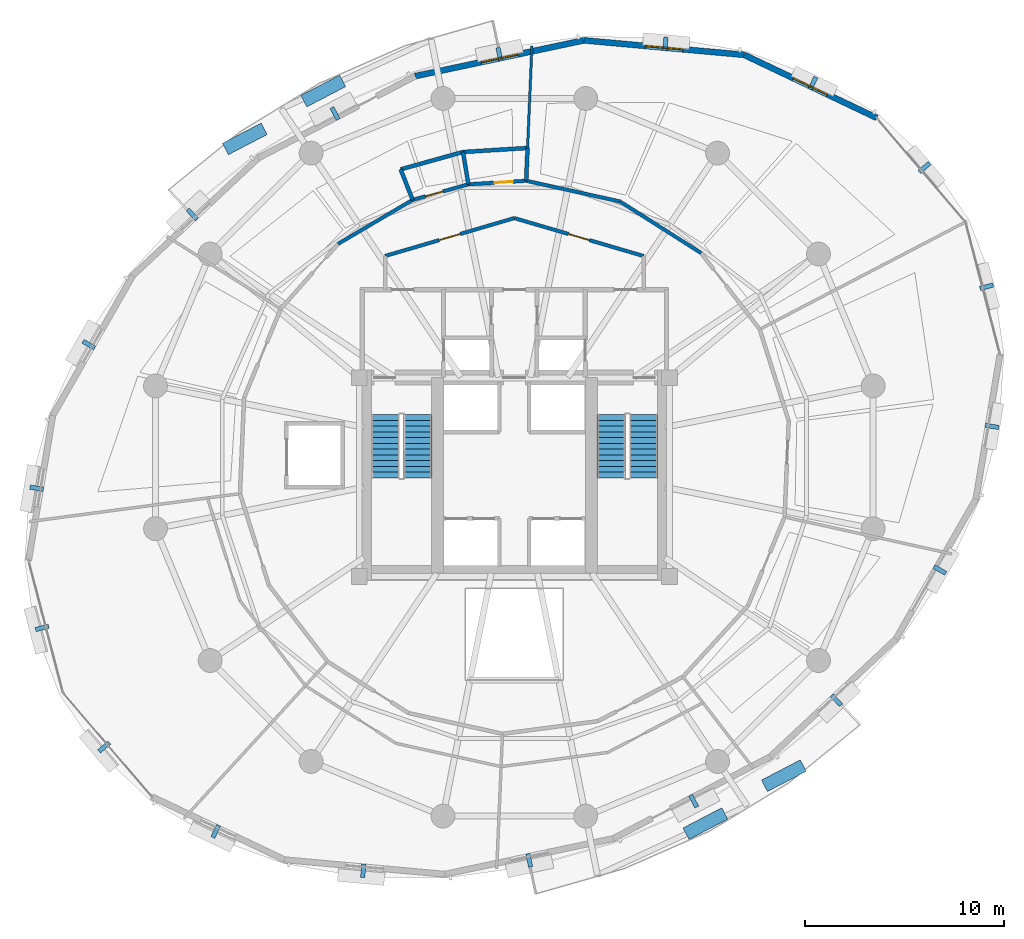
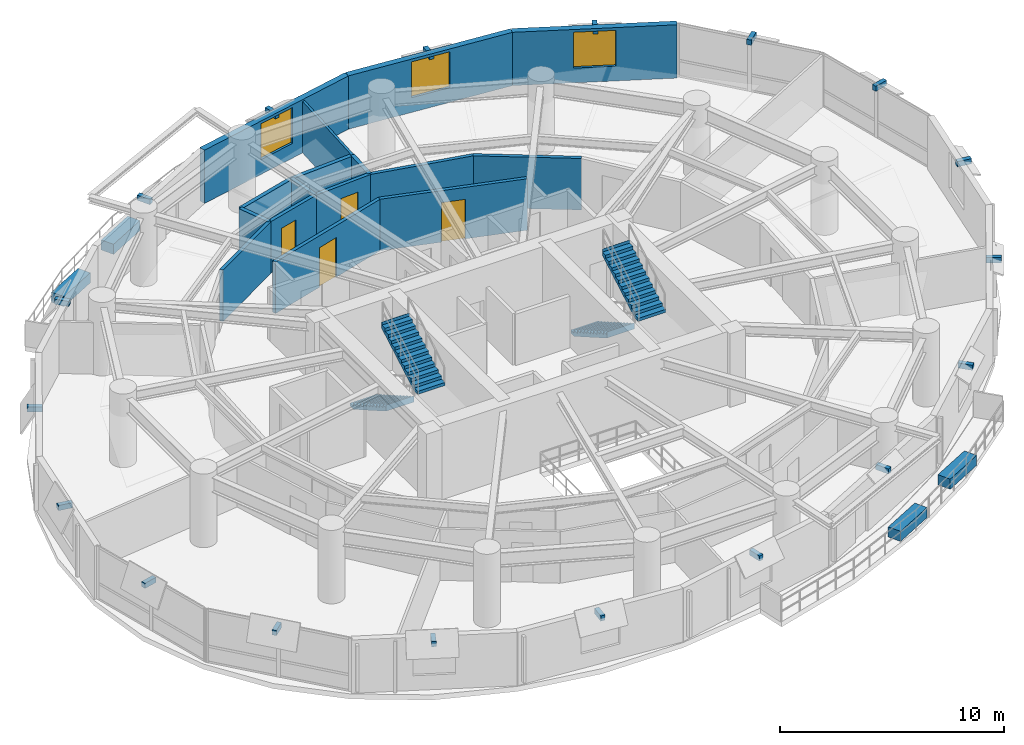
# One storey, part 12 of 14: 22 discrete accessories, 16 walls, 4 doors, 4 stair flights, 3 windows, 7 openings, 2 elements without a shape of their own.
"""IFC4 building model written with IfcOpenShell, lengths in metres."""

from ifc_helpers import new_model, si_unit, direction, frame, frame_2d, origin, origin_2d, place, context, subcontext, project, spatial, polyline, rectangle, outline, extrude, material, layer, layer_set, type_object, element, fill, aggregate, save


model = new_model("IFC4")

# Units and contexts
model_context = context("Model", 3, precision=1e-05, world=origin(), true_north=direction((0.0, 1.0)))
body_context = subcontext(model_context, "Body", "Model", "MODEL_VIEW")
ifc_project = project(units=[si_unit("LENGTHUNIT", "METRE"), si_unit("AREAUNIT", "SQUARE_METRE"), si_unit("VOLUMEUNIT", "CUBIC_METRE"), si_unit("PLANEANGLEUNIT", "RADIAN"), si_unit("MASSUNIT", "GRAM", prefix="KILO"), si_unit("THERMODYNAMICTEMPERATUREUNIT", "KELVIN"), si_unit("POWERUNIT", "WATT")], contexts=[model_context])

# Site, building, storey
site_placement = place(None, origin())
site = spatial("IfcSite", under=ifc_project, at=site_placement, CompositionType="ELEMENT")
building_placement = place(site_placement, origin())
building = spatial("IfcBuilding", under=site, at=building_placement, Name="Ocrelia Relay Tower", CompositionType="ELEMENT")
storey_placement = place(building_placement, frame((0.0, 0.0, 149.800048828125)))
storey = spatial("IfcBuildingStorey", under=building, at=storey_placement, Name="L35", CompositionType="ELEMENT", Elevation=149.800048828125)

# Wall, opening, door
ifc_material_1 = material(Name="Gypsum Fireboard Partition EI60", Category="gypsum")
ifc_layer_1 = layer(ifc_material_1, 0.179931640625, Name="Gypsum Fireboard Partition EI60")
ifc_layer_set_1 = layer_set([ifc_layer_1], Name="Gypsum Fireboard Partition EI60")
wall_type_1 = type_object("IfcWallType", Name="W-CORR-EI60-180", PredefinedType="PARTITIONING", material=ifc_layer_set_1)
wall_1_placement = place(storey_placement, frame((27.5, 36.122802734375, 0.0), z_axis=(0.0, 0.0, 1.0), x_axis=(0.959546654541, 0.281549671923, 0.0)))
wall_1 = element("IfcWall", 1, at=wall_1_placement, inside=storey, type_object=wall_type_1, Name="L35 North Smoke Lobby W Screen Wall", PredefinedType="PARTITIONING", context=body_context, shape_type="SweptSolid", body=[
    extrude(rectangle(XDim=6.77392578125, YDim=0.179931640625, at=frame_2d((3.386962890625, 0.0))), origin(), (0.0, 0.0, 1.0), 2.800048828125),
])
opening_1_placement = place(wall_1_placement, frame((2.8369140625, 0.0, 0.0)))
opening_1 = element("IfcOpeningElement", 2, at=opening_1_placement, cuts=wall_1, Name="Opening D-FD60", PredefinedType="OPENING", context=body_context, shape_type="SweptSolid", body=[
    extrude(rectangle(XDim=1.10009765625, YDim=2.14990234375, at=frame_2d((0.550048828125, 1.074951171875))), frame((0.0, 0.10009765625, 0.0), z_axis=(0.0, -1.0, 0.0), x_axis=(1.0, 0.0, 0.0)), (0.0, 0.0, 1.0), 0.199951171875),
])
ifc_material_2 = material(Name="Timber-core 60-min acoustic fire door", Category="wood")
door_type_1 = type_object("IfcDoorType", Name="DR-LOBBY-FD60-1100", OperationType="NOTDEFINED", PredefinedType="DOOR", material=ifc_material_2)
door_1_placement = place(opening_1_placement, origin())
door_1 = element("IfcDoor", 3, at=door_1_placement, inside=storey, type_object=door_type_1, Name="L35 North Smoke Lobby W Fire Door", OperationType="SINGLE_SWING_LEFT", OverallHeight=2.14990234375, OverallWidth=1.10009765625, PredefinedType="DOOR", context=body_context, shape_type="SweptSolid", body=[
    extrude(rectangle(XDim=1.10009765625, YDim=2.14990234375, at=frame_2d((0.550048828125, 1.074951171875))), frame((0.0, 0.02490234375, 0.0), z_axis=(0.0, -1.0, 0.0), x_axis=(1.0, 0.0, 0.0)), (0.0, 0.0, 1.0), 0.050048828125),
])
fill(opening_1, door_1)

wall_2_placement = place(storey_placement, frame((34.0, 38.030029296875, 0.0), z_axis=(0.0, 0.0, 1.0), x_axis=(0.959546654541, -0.281549671923, 0.0)))
wall_2 = element("IfcWall", 4, at=wall_2_placement, inside=storey, type_object=wall_type_1, Name="L35 North Smoke Lobby E Screen Wall", PredefinedType="PARTITIONING", context=body_context, shape_type="SweptSolid", body=[
    extrude(rectangle(XDim=6.77392578125, YDim=0.179931640625, at=frame_2d((3.386962890625, 0.0))), origin(), (0.0, 0.0, 1.0), 2.800048828125),
])
opening_2_placement = place(wall_2_placement, frame((2.8369140625, 0.0, 0.0)))
opening_2 = element("IfcOpeningElement", 5, at=opening_2_placement, cuts=wall_2, Name="Opening D-FD60", PredefinedType="OPENING", context=body_context, shape_type="SweptSolid", body=[
    extrude(rectangle(XDim=1.10009765625, YDim=2.14990234375, at=frame_2d((0.550048828125, 1.074951171875))), frame((0.0, 0.10009765625, 0.0), z_axis=(0.0, -1.0, 0.0), x_axis=(1.0, 0.0, 0.0)), (0.0, 0.0, 1.0), 0.199951171875),
])
door_2_placement = place(opening_2_placement, origin())
door_2 = element("IfcDoor", 6, at=door_2_placement, inside=storey, type_object=door_type_1, Name="L35 North Smoke Lobby E Fire Door", OperationType="SINGLE_SWING_RIGHT", OverallHeight=2.14990234375, OverallWidth=1.10009765625, PredefinedType="DOOR", context=body_context, shape_type="SweptSolid", body=[
    extrude(rectangle(XDim=1.10009765625, YDim=2.14990234375, at=frame_2d((0.550048828125, 1.074951171875))), frame((0.0, 0.02490234375, 0.0), z_axis=(0.0, -1.0, 0.0), x_axis=(1.0, 0.0, 0.0)), (0.0, 0.0, 1.0), 0.050048828125),
])
fill(opening_2, door_2)

wall_3_placement = place(storey_placement, frame((34.594970703125, 39.9072265625, 0.0), z_axis=(0.0, 0.0, 1.0), x_axis=(-0.998081201235, -0.061918621933, 0.0)))
wall_3 = element("IfcWall", 7, at=wall_3_placement, inside=storey, type_object=wall_type_1, Name="L35 Staff Toilet Corridor Wall", PredefinedType="PARTITIONING", context=body_context, shape_type="SweptSolid", body=[
    extrude(rectangle(XDim=2.909912109375, YDim=0.179931640625, at=frame_2d((1.455078125, 0.0))), origin(), (0.0, 0.0, 1.0), 2.800048828125),
])
opening_3_placement = place(wall_3_placement, frame((0.6689453125, 0.0, 0.0)))
opening_3 = element("IfcOpeningElement", 8, at=opening_3_placement, cuts=wall_3, Name="Opening D-WC92", PredefinedType="OPENING", context=body_context, shape_type="SweptSolid", body=[
    extrude(rectangle(XDim=0.919921875, YDim=2.10009765625, at=frame_2d((0.4599609375, 1.050048828125))), frame((0.0, 0.10009765625, 0.0), z_axis=(0.0, -1.0, 0.0), x_axis=(1.0, 0.0, 0.0)), (0.0, 0.0, 1.0), 0.199951171875),
])
ifc_material_3 = material(Name="Laminate washroom door", Category="wood")
door_type_2 = type_object("IfcDoorType", Name="DR-WC-920", OperationType="NOTDEFINED", PredefinedType="DOOR", material=ifc_material_3)
door_3_placement = place(opening_3_placement, origin())
door_3 = element("IfcDoor", 9, at=door_3_placement, inside=storey, type_object=door_type_2, Name="L35 Staff Toilet Door", OperationType="SINGLE_SWING_LEFT", OverallHeight=2.10009765625, OverallWidth=0.919921875, PredefinedType="DOOR", context=body_context, shape_type="SweptSolid", body=[
    extrude(rectangle(XDim=0.919921875, YDim=2.10009765625, at=frame_2d((0.4599609375, 1.050048828125))), frame((0.0, 0.02490234375, 0.0), z_axis=(0.0, -1.0, 0.0), x_axis=(1.0, 0.0, 0.0)), (0.0, 0.0, 1.0), 0.050048828125),
])
fill(opening_3, door_3)

wall_4_placement = place(storey_placement, frame((31.690673828125, 39.72705078125, 0.0), z_axis=(0.0, 0.0, 1.0), x_axis=(-0.96340966142, -0.268033252197, 0.0)))
wall_4 = element("IfcWall", 10, at=wall_4_placement, inside=storey, type_object=wall_type_1, Name="L35 Accessible Toilet Corridor Wall", PredefinedType="PARTITIONING", context=body_context, shape_type="SweptSolid", body=[
    extrude(rectangle(XDim=2.91015625, YDim=0.179931640625, at=frame_2d((1.455078125, 0.0))), origin(), (0.0, 0.0, 1.0), 2.800048828125),
])
opening_4_placement = place(wall_4_placement, frame((1.321044921875, 0.0, 0.0)))
opening_4 = element("IfcOpeningElement", 11, at=opening_4_placement, cuts=wall_4, Name="Opening D-WC92", PredefinedType="OPENING", context=body_context, shape_type="SweptSolid", body=[
    extrude(rectangle(XDim=0.919921875, YDim=2.10009765625, at=frame_2d((0.4599609375, 1.050048828125))), frame((0.0, 0.10009765625, 0.0), z_axis=(0.0, -1.0, 0.0), x_axis=(1.0, 0.0, 0.0)), (0.0, 0.0, 1.0), 0.199951171875),
])
door_4_placement = place(opening_4_placement, origin())
door_4 = element("IfcDoor", 12, at=door_4_placement, inside=storey, type_object=door_type_2, Name="L35 Accessible Toilet Door", OperationType="SINGLE_SWING_RIGHT", OverallHeight=2.10009765625, OverallWidth=0.919921875, PredefinedType="DOOR", context=body_context, shape_type="SweptSolid", body=[
    extrude(rectangle(XDim=0.919921875, YDim=2.10009765625, at=frame_2d((0.4599609375, 1.050048828125))), frame((0.0, 0.02490234375, 0.0), z_axis=(0.0, -1.0, 0.0), x_axis=(1.0, 0.0, 0.0)), (0.0, 0.0, 1.0), 0.050048828125),
])
fill(opening_4, door_4)

# Walls
wall_5_placement = place(storey_placement, frame((28.886962890625, 38.947021484375, 0.0), z_axis=(0.0, 0.0, 1.0), x_axis=(-0.861185337558, -0.508291072493, 0.0)))
element("IfcWall", 13, at=wall_5_placement, inside=storey, type_object=wall_type_1, Name="L35 Network Engineering Office Corridor Partition 1", PredefinedType="PARTITIONING", context=body_context, shape_type="SweptSolid", body=[
    extrude(rectangle(XDim=4.35498046875, YDim=0.179931640625, at=frame_2d((2.177490234375, 0.0))), origin(), (0.0, 0.0, 1.0), 2.800048828125),
])
for number, where, z_axis, x_axis, name in (
    (14, (43.395263671875, 36.27099609375, 0.0), (0.0, 0.0, 1.0), (-0.843858975669, 0.536565027916, 0.0), "L35 Shift Staff Lounge Corridor Partition 2"),
    (15, (39.315673828125, 38.864990234375, 0.0), (0.0, 0.0, 1.0), (-0.976484389615, 0.215588118498, 0.0), "L35 Shift Staff Lounge Corridor Partition 3"),
):
    element("IfcWall", number, at=place(storey_placement, frame(where, z_axis=z_axis, x_axis=x_axis)), inside=storey, type_object=wall_type_1, Name=name, PredefinedType="PARTITIONING", context=body_context, shape_type="SweptSolid", body=[
        extrude(rectangle(XDim=4.83447265625, YDim=0.179931640625, at=frame_2d((2.417236328125, 0.0))), origin(), (0.0, 0.0, 1.0), 2.800048828125),
    ])

# Wall, opening, window
ifc_material_4 = material(Name="Precast concrete C40/50 with oxide terracotta", Category="masonry")
ifc_layer_2 = layer(ifc_material_4, 0.300048828125, Name="Precast concrete C40/50 with oxide terracotta")
ifc_layer_set_2 = layer_set([ifc_layer_2], Name="Precast concrete C40/50 with oxide terracotta")
wall_type_2 = type_object("IfcWallType", Name="W-EXT-TERR-300", PredefinedType="SOLIDWALL", material=ifc_layer_set_2)
wall_6_placement = place(storey_placement, frame((52.227783203125, 43.070068359375, 0.0), z_axis=(0.0, 0.0, 1.0), x_axis=(-0.90311340401, 0.429402118646, 0.0)))
wall_6 = element("IfcWall", 16, at=wall_6_placement, inside=storey, type_object=wall_type_2, Name="L35 Oxide Terracotta Facade Wall 02", PredefinedType="SOLIDWALL", context=body_context, shape_type="SweptSolid", body=[
    extrude(rectangle(XDim=7.38330078125, YDim=0.300048828125, at=frame_2d((3.691650390625, 0.0))), origin(), (0.0, 0.0, 1.0), 2.89990234375),
])
opening_5_placement = place(wall_6_placement, frame((2.741943359375, 0.0, 0.800048828125)))
opening_5 = element("IfcOpeningElement", 17, at=opening_5_placement, cuts=wall_6, Name="Opening W-06", PredefinedType="OPENING", context=body_context, shape_type="SweptSolid", body=[
    extrude(rectangle(XDim=1.89990234375, YDim=1.949951171875, at=frame_2d((0.949951171875, 0.97509765625))), frame((0.0, 0.16015625, 0.0), z_axis=(0.0, -1.0, 0.0), x_axis=(1.0, 0.0, 0.0)), (0.0, 0.0, 1.0), 0.320068359375),
])
ifc_material_5 = material(Name="Clear double-glazed low-E glass", Category="glass")
window_type = type_object("IfcWindowType", Name="WIN-Z2-1900x2100", PartitioningType="DOUBLE_PANEL_VERTICAL", PredefinedType="WINDOW", material=ifc_material_5)
window_1_placement = place(opening_5_placement, origin())
window_1 = element("IfcWindow", 18, at=window_1_placement, inside=storey, type_object=window_type, Name="L35 Facade Module Window 02", OverallHeight=1.949951171875, OverallWidth=1.89990234375, PartitioningType="SINGLE_PANEL", PredefinedType="WINDOW", context=body_context, shape_type="SweptSolid", body=[
    extrude(rectangle(XDim=1.89990234375, YDim=1.949951171875, at=frame_2d((0.949951171875, 0.97509765625))), frame((0.0, 0.030029296875, 0.0), z_axis=(0.0, -1.0, 0.0), x_axis=(1.0, 0.0, 0.0)), (0.0, 0.0, 1.0), 0.06005859375),
])
fill(opening_5, window_1)

wall_7_placement = place(storey_placement, frame((45.559814453125, 46.240478515625, 0.0), z_axis=(0.0, 0.0, 1.0), x_axis=(-0.995933895162, 0.090087049387, 0.0)))
wall_7 = element("IfcWall", 19, at=wall_7_placement, inside=storey, type_object=wall_type_2, Name="L35 Oxide Terracotta Facade Wall 03", PredefinedType="SOLIDWALL", context=body_context, shape_type="SweptSolid", body=[
    extrude(rectangle(XDim=8.094970703125, YDim=0.300048828125, at=frame_2d((4.04736328125, 0.0))), origin(), (0.0, 0.0, 1.0), 2.89990234375),
])
opening_6_placement = place(wall_7_placement, frame((3.097900390625, 0.0, 0.800048828125)))
opening_6 = element("IfcOpeningElement", 20, at=opening_6_placement, cuts=wall_7, Name="Opening W-06", PredefinedType="OPENING", context=body_context, shape_type="SweptSolid", body=[
    extrude(rectangle(XDim=1.89990234375, YDim=1.949951171875, at=frame_2d((0.949951171875, 0.97509765625))), frame((0.0, 0.16015625, 0.0), z_axis=(0.0, -1.0, 0.0), x_axis=(1.0, 0.0, 0.0)), (0.0, 0.0, 1.0), 0.320068359375),
])
window_2_placement = place(opening_6_placement, origin())
window_2 = element("IfcWindow", 21, at=window_2_placement, inside=storey, type_object=window_type, Name="L35 Facade Module Window 03", OverallHeight=1.949951171875, OverallWidth=1.89990234375, PartitioningType="SINGLE_PANEL", PredefinedType="WINDOW", context=body_context, shape_type="SweptSolid", body=[
    extrude(rectangle(XDim=1.89990234375, YDim=1.949951171875, at=frame_2d((0.949951171875, 0.97509765625))), frame((0.0, 0.030029296875, 0.0), z_axis=(0.0, -1.0, 0.0), x_axis=(1.0, 0.0, 0.0)), (0.0, 0.0, 1.0), 0.06005859375),
])
fill(opening_6, window_2)

wall_8_placement = place(storey_placement, frame((37.497802734375, 46.9697265625, 0.0), z_axis=(0.0, 0.0, 1.0), x_axis=(-0.978225120282, -0.207546655113, 0.0)))
wall_8 = element("IfcWall", 22, at=wall_8_placement, inside=storey, type_object=wall_type_2, Name="L35 Oxide Terracotta Facade Wall 04", PredefinedType="SOLIDWALL", context=body_context, shape_type="SweptSolid", body=[
    extrude(rectangle(XDim=8.673095703125, YDim=0.300048828125, at=frame_2d((4.33642578125, 0.0))), origin(), (0.0, 0.0, 1.0), 2.89990234375),
])
opening_7_placement = place(wall_8_placement, frame((3.385986328125, 0.0, 0.800048828125)))
opening_7 = element("IfcOpeningElement", 23, at=opening_7_placement, cuts=wall_8, Name="Opening W-06", PredefinedType="OPENING", context=body_context, shape_type="SweptSolid", body=[
    extrude(rectangle(XDim=1.89990234375, YDim=1.949951171875, at=frame_2d((0.949951171875, 0.97509765625))), frame((0.0, 0.16015625, 0.0), z_axis=(0.0, -1.0, 0.0), x_axis=(1.0, 0.0, 0.0)), (0.0, 0.0, 1.0), 0.320068359375),
])
window_3_placement = place(opening_7_placement, origin())
window_3 = element("IfcWindow", 24, at=window_3_placement, inside=storey, type_object=window_type, Name="L35 Facade Module Window 04", OverallHeight=1.949951171875, OverallWidth=1.89990234375, PartitioningType="SINGLE_PANEL", PredefinedType="WINDOW", context=body_context, shape_type="SweptSolid", body=[
    extrude(rectangle(XDim=1.89990234375, YDim=1.949951171875, at=frame_2d((0.949951171875, 0.97509765625))), frame((0.0, 0.030029296875, 0.0), z_axis=(0.0, -1.0, 0.0), x_axis=(1.0, 0.0, 0.0)), (0.0, 0.0, 1.0), 0.06005859375),
])
fill(opening_7, window_3)

# Walls
ifc_material_6 = material(Name="Acoustic Fireboard Partition EI60", Category="gypsum")
ifc_layer_3 = layer(ifc_material_6, 0.125, Name="Acoustic Fireboard Partition EI60")
ifc_layer_set_3 = layer_set([ifc_layer_3], Name="Acoustic Fireboard Partition EI60")
wall_type_3 = type_object("IfcWallType", Name="W-PART-125", PredefinedType="PARTITIONING", material=ifc_layer_set_3)
wall_9_placement = place(storey_placement, frame((34.66552734375, 41.555908203125, 0.0), z_axis=(0.0, 0.0, 1.0), x_axis=(0.04278458553, 0.999084320386, 0.0)))
element("IfcWall", 25, at=wall_9_placement, inside=storey, type_object=wall_type_3, Name="L35 Network Engineering Office Radial Partition", PredefinedType="PARTITIONING", context=body_context, shape_type="SweptSolid", body=[
    extrude(rectangle(XDim=5.1298828125, YDim=0.125, at=frame_2d((2.56494140625, 0.0))), origin(), (0.0, 0.0, 1.0), 2.800048828125),
])
ifc_material_7 = material(Name="Moisture-Resistant Fireboard Chase Wall EI60", Category="gypsum")
ifc_layer_4 = layer(ifc_material_7, 0.199951171875, Name="Moisture-Resistant Fireboard Chase Wall EI60")
ifc_layer_set_4 = layer_set([ifc_layer_4], Name="Moisture-Resistant Fireboard Chase Wall EI60")
wall_type_4 = type_object("IfcWallType", Name="W-PLUMB-200", PredefinedType="PLUMBINGWALL", material=ifc_layer_set_4)
for number, where, z_axis, x_axis, name in (
    (26, (34.594970703125, 39.9072265625, 0.0), (0.0, 0.0, 1.0), (0.04275665839, 0.999085515941, 0.0), "L35 Staff Toilet Plumbing Radial Wall"),
    (27, (31.690673828125, 39.72705078125, 0.0), (0.0, 0.0, 1.0), (-0.166006287603, 0.986124694182, 0.0), "L35 Staff Toilet Plumbing Radial Wall"),
):
    element("IfcWall", number, at=place(storey_placement, frame(where, z_axis=z_axis, x_axis=x_axis)), inside=storey, type_object=wall_type_4, Name=name, PredefinedType="PLUMBINGWALL", context=body_context, shape_type="SweptSolid", body=[
        extrude(rectangle(XDim=1.650146484375, YDim=0.199951171875, at=frame_2d((0.8251953125, 0.0))), origin(), (0.0, 0.0, 1.0), 2.800048828125),
    ])
wall_10_placement = place(storey_placement, frame((34.66552734375, 41.555908203125, 0.0), z_axis=(0.0, 0.0, 1.0), x_axis=(-0.998079045884, -0.061953354768, 0.0)))
element("IfcWall", 28, at=wall_10_placement, inside=storey, type_object=wall_type_4, Name="L35 Staff Toilet Back Plumbing Wall", PredefinedType="PLUMBINGWALL", context=body_context, shape_type="SweptSolid", body=[
    extrude(rectangle(XDim=3.255126953125, YDim=0.199951171875, at=frame_2d((1.62744140625, 0.0))), origin(), (0.0, 0.0, 1.0), 2.800048828125),
])
wall_11_placement = place(storey_placement, frame((28.886962890625, 38.947021484375, 0.0), z_axis=(0.0, 0.0, 1.0), x_axis=(-0.367254125324, 0.930120641332, 0.0)))
element("IfcWall", 29, at=wall_11_placement, inside=storey, type_object=wall_type_4, Name="L35 Accessible Toilet Plumbing Radial Wall", PredefinedType="PLUMBINGWALL", context=body_context, shape_type="SweptSolid", body=[
    extrude(rectangle(XDim=1.64990234375, YDim=0.199951171875, at=frame_2d((0.824951171875, 0.0))), origin(), (0.0, 0.0, 1.0), 2.800048828125),
])
wall_12_placement = place(storey_placement, frame((31.416748046875, 41.354248046875, 0.0), z_axis=(0.0, 0.0, 1.0), x_axis=(-0.963397456195, -0.268077118377, 0.0)))
element("IfcWall", 30, at=wall_12_placement, inside=storey, type_object=wall_type_4, Name="L35 Accessible Toilet Back Plumbing Wall", PredefinedType="PLUMBINGWALL", context=body_context, shape_type="SweptSolid", body=[
    extrude(rectangle(XDim=3.2548828125, YDim=0.199951171875, at=frame_2d((1.62744140625, 0.0))), origin(), (0.0, 0.0, 1.0), 2.800048828125),
])

# Stair, stair flights
ifc_material_8 = material(Name="Concrete C50/60", Category="concrete")
stair_type = type_object("IfcStairType", Name="ST-DL-1420-R167", PredefinedType="HALF_TURN_STAIR", material=ifc_material_8)
stair_1_placement = place(storey_placement, origin())
stair_1 = element("IfcStair", 31, at=stair_1_placement, inside=storey, type_object=stair_type, Name="L35 West Core Exit Stair ST1", PredefinedType="HALF_TURN_STAIR")
stair_flight_type = type_object("IfcStairFlightType", Name="STF-DL-1420-R167", PredefinedType="STRAIGHT", material=ifc_material_8)
stair_flight_1_placement = place(storey_placement, frame((27.52001953125, 28.14990234375, 0.0), z_axis=(0.0, 0.0, 1.0), x_axis=(0.0, -1.0, 0.0)))
stair_flight_1 = element("IfcStairFlight", 32, at=stair_flight_1_placement, type_object=stair_flight_type, Name="ST1 flight 1", NumberOfRisers=12, NumberOfTreads=11, PredefinedType="STRAIGHT", RiserHeight=0.166666667, TreadLength=0.29, context=body_context, shape_type="SweptSolid", body=[
    extrude(outline(polyline([(-0.008056640625, 0.0), (-0.008056640625, 0.166748046875), (0.0, 0.166748046875), (0.2900390625, 0.166748046875), (0.2900390625, 0.333251953125), (0.580078125, 0.333251953125), (0.580078125, 0.5), (0.8701171875, 0.5), (0.8701171875, 0.666748046875), (1.159912109375, 0.666748046875), (1.159912109375, 0.833251953125), (1.449951171875, 0.833251953125), (1.449951171875, 1.0), (1.739990234375, 1.0), (1.739990234375, 1.166748046875), (2.030029296875, 1.166748046875), (2.030029296875, 1.333251953125), (2.320068359375, 1.333251953125), (2.320068359375, 1.5), (2.610107421875, 1.5), (2.610107421875, 1.666748046875), (2.89990234375, 1.666748046875), (2.89990234375, 1.833251953125), (3.18994140625, 1.833251953125), (3.18994140625, 2.0), (3.197998046875, 2.0), (3.197998046875, 1.660400390625), (0.30078125, 0.0), (-0.008056640625, 0.0)])), frame((0.0, 0.7099609375, 0.0), z_axis=(0.0, -1.0, 0.0), x_axis=(1.0, 0.0, 0.0)), (0.0, 0.0, 1.0), 1.419921875),
])
stair_flight_2_placement = place(storey_placement, frame((29.139892578125, 24.9599609375, 2.0), z_axis=(0.0, 0.0, 1.0), x_axis=(0.0, 1.0, 0.0)))
stair_flight_2 = element("IfcStairFlight", 33, at=stair_flight_2_placement, type_object=stair_flight_type, Name="ST1 flight 2", NumberOfRisers=12, NumberOfTreads=11, PredefinedType="STRAIGHT", RiserHeight=0.166666667, TreadLength=0.29, context=body_context, shape_type="SweptSolid", body=[
    extrude(outline(polyline([(-0.008056640625, 0.0), (-0.008056640625, 0.166748046875), (0.0, 0.166748046875), (0.2900390625, 0.166748046875), (0.2900390625, 0.333251953125), (0.580078125, 0.333251953125), (0.580078125, 0.5), (0.8701171875, 0.5), (0.8701171875, 0.666748046875), (1.159912109375, 0.666748046875), (1.159912109375, 0.833251953125), (1.449951171875, 0.833251953125), (1.449951171875, 1.0), (1.739990234375, 1.0), (1.739990234375, 1.166748046875), (2.030029296875, 1.166748046875), (2.030029296875, 1.333251953125), (2.320068359375, 1.333251953125), (2.320068359375, 1.5), (2.610107421875, 1.5), (2.610107421875, 1.666748046875), (2.89990234375, 1.666748046875), (2.89990234375, 1.833251953125), (3.18994140625, 1.833251953125), (3.18994140625, 2.0), (3.197998046875, 2.0), (3.197998046875, 1.660400390625), (0.30078125, 0.0), (-0.008056640625, 0.0)])), frame((0.0, 0.7099609375, 0.0), z_axis=(0.0, -1.0, 0.0), x_axis=(1.0, 0.0, 0.0)), (0.0, 0.0, 1.0), 1.419921875),
])
aggregate(stair_1, [stair_flight_1, stair_flight_2])

stair_2_placement = place(storey_placement, origin())
stair_2 = element("IfcStair", 34, at=stair_2_placement, inside=storey, type_object=stair_type, Name="L35 East Core Exit Stair ST2", PredefinedType="HALF_TURN_STAIR")
stair_flight_3_placement = place(storey_placement, frame((38.8701171875, 28.14990234375, 0.0), z_axis=(0.0, 0.0, 1.0), x_axis=(0.0, -1.0, 0.0)))
stair_flight_3 = element("IfcStairFlight", 35, at=stair_flight_3_placement, type_object=stair_flight_type, Name="ST2 flight 1", NumberOfRisers=12, NumberOfTreads=11, PredefinedType="STRAIGHT", RiserHeight=0.166666667, TreadLength=0.29, context=body_context, shape_type="SweptSolid", body=[
    extrude(outline(polyline([(-0.008056640625, 0.0), (-0.008056640625, 0.166748046875), (0.0, 0.166748046875), (0.2900390625, 0.166748046875), (0.2900390625, 0.333251953125), (0.580078125, 0.333251953125), (0.580078125, 0.5), (0.8701171875, 0.5), (0.8701171875, 0.666748046875), (1.159912109375, 0.666748046875), (1.159912109375, 0.833251953125), (1.449951171875, 0.833251953125), (1.449951171875, 1.0), (1.739990234375, 1.0), (1.739990234375, 1.166748046875), (2.030029296875, 1.166748046875), (2.030029296875, 1.333251953125), (2.320068359375, 1.333251953125), (2.320068359375, 1.5), (2.610107421875, 1.5), (2.610107421875, 1.666748046875), (2.89990234375, 1.666748046875), (2.89990234375, 1.833251953125), (3.18994140625, 1.833251953125), (3.18994140625, 2.0), (3.197998046875, 2.0), (3.197998046875, 1.660400390625), (0.30078125, 0.0), (-0.008056640625, 0.0)])), frame((0.0, 0.7099609375, 0.0), z_axis=(0.0, -1.0, 0.0), x_axis=(1.0, 0.0, 0.0)), (0.0, 0.0, 1.0), 1.419921875),
])
stair_flight_4_placement = place(storey_placement, frame((40.489990234375, 24.9599609375, 2.0), z_axis=(0.0, 0.0, 1.0), x_axis=(0.0, 1.0, 0.0)))
stair_flight_4 = element("IfcStairFlight", 36, at=stair_flight_4_placement, type_object=stair_flight_type, Name="ST2 flight 2", NumberOfRisers=12, NumberOfTreads=11, PredefinedType="STRAIGHT", RiserHeight=0.166666667, TreadLength=0.29, context=body_context, shape_type="SweptSolid", body=[
    extrude(outline(polyline([(-0.008056640625, 0.0), (-0.008056640625, 0.166748046875), (0.0, 0.166748046875), (0.2900390625, 0.166748046875), (0.2900390625, 0.333251953125), (0.580078125, 0.333251953125), (0.580078125, 0.5), (0.8701171875, 0.5), (0.8701171875, 0.666748046875), (1.159912109375, 0.666748046875), (1.159912109375, 0.833251953125), (1.449951171875, 0.833251953125), (1.449951171875, 1.0), (1.739990234375, 1.0), (1.739990234375, 1.166748046875), (2.030029296875, 1.166748046875), (2.030029296875, 1.333251953125), (2.320068359375, 1.333251953125), (2.320068359375, 1.5), (2.610107421875, 1.5), (2.610107421875, 1.666748046875), (2.89990234375, 1.666748046875), (2.89990234375, 1.833251953125), (3.18994140625, 1.833251953125), (3.18994140625, 2.0), (3.197998046875, 2.0), (3.197998046875, 1.660400390625), (0.30078125, 0.0), (-0.008056640625, 0.0)])), frame((0.0, 0.7099609375, 0.0), z_axis=(0.0, -1.0, 0.0), x_axis=(1.0, 0.0, 0.0)), (0.0, 0.0, 1.0), 1.419921875),
])
aggregate(stair_2, [stair_flight_3, stair_flight_4])

# Discrete accessories
ifc_material_9 = material(Name="Precast concrete C40/50 planter with highland greenery", Category="concrete")
discrete_accessory_type_1 = type_object("IfcDiscreteAccessoryType", Name="ACC-BALC-PLANTER", PredefinedType="USERDEFINED", material=ifc_material_9)
for number, where, z_axis, x_axis, name in (
    (37, (24.389892578125, 44.42138671875, 0.0), (0.0, 0.0, 1.0), (0.886608127742, 0.462521380934, 0.0), "L35 Balcony Terracotta Planter with Greenery B1"),
    (38, (20.444580078125, 42.013916015625, 0.0), (0.0, 0.0, 1.0), (0.886608127742, 0.462521380934, 0.0), "L35 Balcony Terracotta Planter B1-2"),
    (39, (43.610107421875, 7.57861328125, 0.0), (0.0, 0.0, 1.0), (-0.886608127742, -0.462521380934, 0.0), "L35 Balcony Terracotta Planter with Greenery B2"),
    (40, (47.555419921875, 9.986083984375, 0.0), (0.0, 0.0, 1.0), (-0.886608127742, -0.462521380934, 0.0), "L35 Balcony Terracotta Planter B2-2"),
):
    element("IfcDiscreteAccessory", number, at=place(storey_placement, frame(where, z_axis=z_axis, x_axis=x_axis)), inside=storey, type_object=discrete_accessory_type_1, Name=name, ObjectType="PLANTER", PredefinedType="USERDEFINED", context=body_context, shape_type="SweptSolid", body=[
        extrude(rectangle(XDim=2.199951171875, YDim=0.64990234375, at=origin_2d()), origin(), (0.0, 0.0, 1.0), 0.550048828125),
    ])
ifc_material_10 = material(Name="Steel S355", Category="steel")
discrete_accessory_type_2 = type_object("IfcDiscreteAccessoryType", Name="ACC-VISOR-BRACKET", PredefinedType="BRACKET", material=ifc_material_10)
for number, where, z_axis, x_axis, name in (
    (41, (54.6259765625, 40.57080078125, 2.60009765625), (0.0, 0.0, 1.0), (-0.649706095868, 0.760185496436, 0.0), "L35 Visor Mounting Bracket 01"),
    (42, (49.0185546875, 44.8115234375, 2.60009765625), (0.0, 0.0, 1.0), (-0.903106968041, 0.429415654438, 0.0), "L35 Visor Mounting Bracket 02"),
    (43, (41.597412109375, 46.79296875, 2.60009765625), (0.0, 0.0, 1.0), (-0.995934616408, 0.090079075481, 0.0), "L35 Visor Mounting Bracket 03"),
    (44, (33.248291015625, 46.26953125, 2.60009765625), (0.0, 0.0, 1.0), (-0.978223769101, -0.207553023506, 0.0), "L35 Visor Mounting Bracket 04"),
    (45, (24.979736328125, 43.290771484375, 2.60009765625), (0.0, 0.0, 1.0), (-0.886606103759, -0.462525260691, 0.0), "L35 Visor Mounting Bracket 05"),
    (46, (17.80615234375, 38.213623046875, 2.60009765625), (0.0, 0.0, 1.0), (-0.729913560071, -0.683539461059, 0.0), "L35 Visor Mounting Bracket 06"),
    (47, (12.599853515625, 31.66552734375, 2.60009765625), (0.0, 0.0, 1.0), (-0.495938045416, -0.868357907265, 0.0), "L35 Visor Mounting Bracket 07"),
    (48, (9.97900390625, 24.4453125, 2.60009765625), (0.0, 0.0, 1.0), (-0.16452198245, -0.98637341676, 0.0), "L35 Visor Mounting Bracket 08"),
    (49, (10.248779296875, 17.42041015625, 2.60009765625), (0.0, 0.0, 1.0), (0.251732432216, -0.967796870511, 0.0), "L35 Visor Mounting Bracket 09"),
    (50, (13.3740234375, 11.42919921875, 2.60009765625), (0.0, 0.0, 1.0), (0.649706095868, -0.760185496436, 0.0), "L35 Visor Mounting Bracket 10"),
    (51, (18.9814453125, 7.1884765625, 2.60009765625), (0.0, 0.0, 1.0), (0.903106968041, -0.429415654438, 0.0), "L35 Visor Mounting Bracket 11"),
    (52, (26.402587890625, 5.20703125, 2.60009765625), (0.0, 0.0, 1.0), (0.995934616408, -0.090079075481, 0.0), "L35 Visor Mounting Bracket 12"),
    (53, (34.751708984375, 5.73046875, 2.60009765625), (0.0, 0.0, 1.0), (0.978223769101, 0.207553023506, 0.0), "L35 Visor Mounting Bracket 13"),
    (54, (43.020263671875, 8.709228515625, 2.60009765625), (0.0, 0.0, 1.0), (0.886606103759, 0.462525260691, 0.0), "L35 Visor Mounting Bracket 14"),
    (55, (50.19384765625, 13.786376953125, 2.60009765625), (0.0, 0.0, 1.0), (0.729913560071, 0.683539461059, 0.0), "L35 Visor Mounting Bracket 15"),
    (56, (55.400146484375, 20.33447265625, 2.60009765625), (0.0, 0.0, 1.0), (0.495938045416, 0.868357907265, 0.0), "L35 Visor Mounting Bracket 16"),
    (57, (58.02099609375, 27.5546875, 2.60009765625), (0.0, 0.0, 1.0), (0.16452198245, 0.98637341676, 0.0), "L35 Visor Mounting Bracket 17"),
    (58, (57.751220703125, 34.57958984375, 2.60009765625), (0.0, 0.0, 1.0), (-0.251732432216, 0.967796870511, 0.0), "L35 Visor Mounting Bracket 18"),
):
    element("IfcDiscreteAccessory", number, at=place(storey_placement, frame(where, z_axis=z_axis, x_axis=x_axis)), inside=storey, type_object=discrete_accessory_type_2, Name=name, PredefinedType="BRACKET", context=body_context, shape_type="SweptSolid", body=[
        extrude(rectangle(XDim=0.219970703125, YDim=0.679931640625, at=origin_2d()), origin(), (0.0, 0.0, 1.0), 0.280029296875),
    ])

save(model, "model.ifc")
